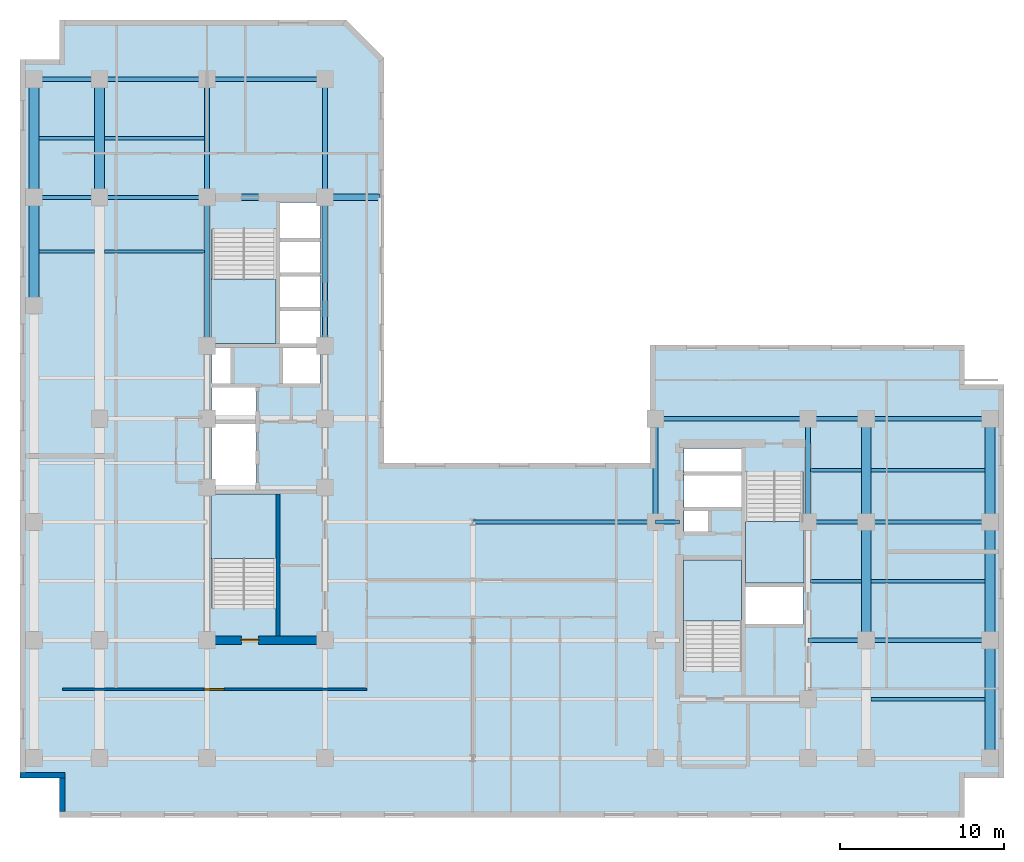
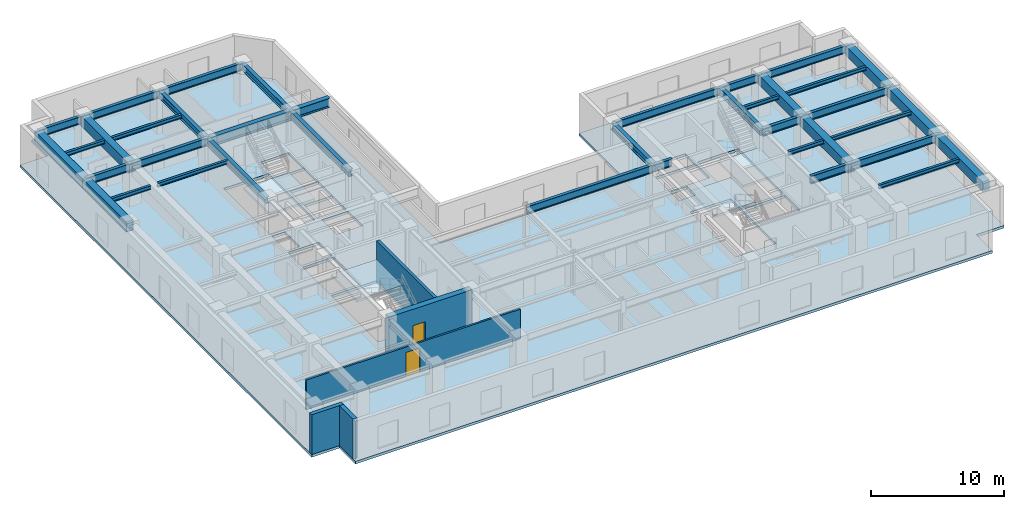
# One storey, part 2 of 9: 38 beams, 5 slabs, 5 walls, 2 doors, 2 openings, 4 elements without a shape of their own.
"""IFC4 building model written with IfcOpenShell, lengths in metres."""

from ifc_helpers import new_model, entity, si_unit, converted_unit, direction, frame, origin_with_axes, origin_2d_with_axis, place, context, subcontext, project, spatial, polyline, rectangle, i_section, outline, extrude, material, layer, layer_set, material_profile, profile_set, type_object, element, fill, aggregate, save


model = new_model("IFC4")

# Units and contexts
model_context = context("Model", 3, precision=1e-05, world=origin_with_axes(), true_north=direction((0.0, 1.0)))
body_context = subcontext(model_context, "Body", "Model", "MODEL_VIEW")
ifc_project = project(units=[si_unit("LENGTHUNIT", "METRE"), si_unit("AREAUNIT", "SQUARE_METRE"), si_unit("VOLUMEUNIT", "CUBIC_METRE"), converted_unit("PLANEANGLEUNIT", "DEGREE", entity("IfcPlaneAngleMeasure", 0.017453292519943295), si_unit("PLANEANGLEUNIT", "RADIAN"), dimensions=[0, 0, 0, 0, 0, 0, 0]), si_unit("MASSUNIT", "GRAM", prefix="KILO"), si_unit("THERMODYNAMICTEMPERATUREUNIT", "KELVIN")], contexts=[model_context])

# Site, building, storey
site_placement = place(None, origin_with_axes())
site = spatial("IfcSite", under=ifc_project, at=site_placement, CompositionType="ELEMENT")
building_placement = place(site_placement, origin_with_axes())
building = spatial("IfcBuilding", under=site, at=building_placement, Name="Varnlund Millrace Tower", CompositionType="ELEMENT")
storey_placement = place(building_placement, frame((0.0, 0.0, 144.6), z_axis=(0.0, 0.0, 1.0), x_axis=(1.0, 0.0, 0.0)))
storey = spatial("IfcBuildingStorey", under=building, at=storey_placement, Name="L35", CompositionType="ELEMENT", Elevation=144.6)

# Beams
ifc_material_1 = material(Name="Steel ASTM A992 Grade 50", Category="steel")
ifc_material_profile_1 = material_profile(ifc_material_1, i_section(OverallWidth=0.328, OverallDepth=0.628, WebThickness=0.0165, FlangeThickness=0.0277, FilletRadius=0.018, at=origin_2d_with_axis()), Name="Steel ASTM A992 Grade 50")
ifc_profile_set_1 = profile_set([ifc_material_profile_1], Name="Steel ASTM A992 Grade 50")
beam_type_1 = type_object("IfcBeamType", Name="Type-Girder-W24X146", PredefinedType="USERDEFINED", material=ifc_profile_set_1)
beam_1_placement = place(storey_placement, frame((11.4, 28.75, 3.346), z_axis=(0.0, 1.0, 0.0), x_axis=(-1.0, 0.0, 0.0)))
element("IfcBeam", 1, at=beam_1_placement, inside=storey, type_object=beam_type_1, Name="Type-Girder-W24X146", ObjectType="GIRDER", PredefinedType="USERDEFINED", context=body_context, shape_type="SweptSolid", body=[
    extrude(i_section(OverallWidth=0.328, OverallDepth=0.628, WebThickness=0.0165, FlangeThickness=0.0277, FilletRadius=0.018, at=origin_2d_with_axis()), origin_with_axes(), (0.0, 0.0, 1.0), 9.05),
])
beam_2_placement = place(storey_placement, frame((11.4, 37.8, 3.346), z_axis=(0.0, 1.0, 0.0), x_axis=(-1.0, 0.0, 0.0)))
element("IfcBeam", 2, at=beam_2_placement, inside=storey, type_object=beam_type_1, Name="Type-Girder-W24X146", ObjectType="GIRDER", PredefinedType="USERDEFINED", context=body_context, shape_type="SweptSolid", body=[
    extrude(i_section(OverallWidth=0.328, OverallDepth=0.628, WebThickness=0.0165, FlangeThickness=0.0277, FilletRadius=0.018, at=origin_2d_with_axis()), origin_with_axes(), (0.0, 0.0, 1.0), 7.2),
])
beam_3_placement = place(storey_placement, frame((18.6, 28.75, 3.346), z_axis=(0.0, 1.0, 0.0), x_axis=(-1.0, 0.0, 0.0)))
element("IfcBeam", 3, at=beam_3_placement, inside=storey, type_object=beam_type_1, Name="Type-Girder-W24X146", ObjectType="GIRDER", PredefinedType="USERDEFINED", context=body_context, shape_type="SweptSolid", body=[
    extrude(i_section(OverallWidth=0.328, OverallDepth=0.628, WebThickness=0.0165, FlangeThickness=0.0277, FilletRadius=0.018, at=origin_2d_with_axis()), origin_with_axes(), (0.0, 0.0, 1.0), 9.05),
])
beam_4_placement = place(storey_placement, frame((18.6, 37.8, 3.346), z_axis=(0.0, 1.0, 0.0), x_axis=(-1.0, 0.0, 0.0)))
element("IfcBeam", 4, at=beam_4_placement, inside=storey, type_object=beam_type_1, Name="Type-Girder-W24X146", ObjectType="GIRDER", PredefinedType="USERDEFINED", context=body_context, shape_type="SweptSolid", body=[
    extrude(i_section(OverallWidth=0.328, OverallDepth=0.628, WebThickness=0.0165, FlangeThickness=0.0277, FilletRadius=0.018, at=origin_2d_with_axis()), origin_with_axes(), (0.0, 0.0, 1.0), 7.2),
])
for number, where, z_axis, x_axis, name in (
    (5, (38.75, 18.0, 3.346), (0.0, 1.0, 0.0), (-1.0, 0.0, 0.0), "Type-Girder-W24X146"),
    (6, (48.05, 18.0, 3.346), (0.0, 1.0, 0.0), (-1.0, 0.0, 0.0), "Type-Girder-W24X146"),
):
    element("IfcBeam", number, at=place(storey_placement, frame(where, z_axis=z_axis, x_axis=x_axis)), inside=storey, type_object=beam_type_1, Name=name, ObjectType="GIRDER", PredefinedType="USERDEFINED", context=body_context, shape_type="SweptSolid", body=[
        extrude(i_section(OverallWidth=0.328, OverallDepth=0.628, WebThickness=0.0165, FlangeThickness=0.0277, FilletRadius=0.018, at=origin_2d_with_axis()), origin_with_axes(), (0.0, 0.0, 1.0), 6.3),
    ])
ifc_material_profile_2 = material_profile(ifc_material_1, i_section(OverallWidth=0.256, OverallDepth=0.693, WebThickness=0.0145, FlangeThickness=0.0236, FilletRadius=0.018, at=origin_2d_with_axis()), Name="Steel ASTM A992 Grade 50")
ifc_profile_set_2 = profile_set([ifc_material_profile_2], Name="Steel ASTM A992 Grade 50")
beam_type_2 = type_object("IfcBeamType", Name="Type-Girder-W27X114", PredefinedType="USERDEFINED", material=ifc_profile_set_2)
beam_5_placement = place(storey_placement, frame((48.05, 10.8, 3.3135), z_axis=(1.0, 0.0, 0.0), x_axis=(0.0, 1.0, 0.0)))
element("IfcBeam", 7, at=beam_5_placement, inside=storey, type_object=beam_type_2, Name="Type-Girder-W27X114", ObjectType="GIRDER", PredefinedType="USERDEFINED", context=body_context, shape_type="SweptSolid", body=[
    extrude(i_section(OverallWidth=0.256, OverallDepth=0.693, WebThickness=0.0145, FlangeThickness=0.0236, FilletRadius=0.018, at=origin_2d_with_axis()), origin_with_axes(), (0.0, 0.0, 1.0), 3.55),
])
beam_6_placement = place(storey_placement, frame((51.6, 10.8, 3.3135), z_axis=(1.0, 0.0, 0.0), x_axis=(0.0, 1.0, 0.0)))
element("IfcBeam", 8, at=beam_6_placement, inside=storey, type_object=beam_type_2, Name="Type-Girder-W27X114", ObjectType="GIRDER", PredefinedType="USERDEFINED", context=body_context, shape_type="SweptSolid", body=[
    extrude(i_section(OverallWidth=0.256, OverallDepth=0.693, WebThickness=0.0145, FlangeThickness=0.0236, FilletRadius=0.018, at=origin_2d_with_axis()), origin_with_axes(), (0.0, 0.0, 1.0), 7.55),
])
beam_7_placement = place(storey_placement, frame((27.6, 18.0, 3.3135), z_axis=(1.0, 0.0, 0.0), x_axis=(0.0, 1.0, 0.0)))
element("IfcBeam", 9, at=beam_7_placement, inside=storey, type_object=beam_type_2, Name="Type-Girder-W27X114", ObjectType="GIRDER", PredefinedType="USERDEFINED", context=body_context, shape_type="SweptSolid", body=[
    extrude(i_section(OverallWidth=0.256, OverallDepth=0.693, WebThickness=0.0145, FlangeThickness=0.0236, FilletRadius=0.018, at=origin_2d_with_axis()), origin_with_axes(), (0.0, 0.0, 1.0), 11.15),
])
beam_8_placement = place(storey_placement, frame((38.75, 18.0, 3.3135), z_axis=(1.0, 0.0, 0.0), x_axis=(0.0, 1.0, 0.0)))
element("IfcBeam", 10, at=beam_8_placement, inside=storey, type_object=beam_type_2, Name="Type-Girder-W27X114", ObjectType="GIRDER", PredefinedType="USERDEFINED", context=body_context, shape_type="SweptSolid", body=[
    extrude(i_section(OverallWidth=0.256, OverallDepth=0.693, WebThickness=0.0145, FlangeThickness=0.0236, FilletRadius=0.018, at=origin_2d_with_axis()), origin_with_axes(), (0.0, 0.0, 1.0), 1.45),
])
beam_9_placement = place(storey_placement, frame((48.05, 18.0, 3.3135), z_axis=(1.0, 0.0, 0.0), x_axis=(0.0, 1.0, 0.0)))
element("IfcBeam", 11, at=beam_9_placement, inside=storey, type_object=beam_type_2, Name="Type-Girder-W27X114", ObjectType="GIRDER", PredefinedType="USERDEFINED", context=body_context, shape_type="SweptSolid", body=[
    extrude(i_section(OverallWidth=0.256, OverallDepth=0.693, WebThickness=0.0145, FlangeThickness=0.0236, FilletRadius=0.018, at=origin_2d_with_axis()), origin_with_axes(), (0.0, 0.0, 1.0), 3.55),
])
beam_10_placement = place(storey_placement, frame((51.6, 18.0, 3.3135), z_axis=(1.0, 0.0, 0.0), x_axis=(0.0, 1.0, 0.0)))
element("IfcBeam", 12, at=beam_10_placement, inside=storey, type_object=beam_type_2, Name="Type-Girder-W27X114", ObjectType="GIRDER", PredefinedType="USERDEFINED", context=body_context, shape_type="SweptSolid", body=[
    extrude(i_section(OverallWidth=0.256, OverallDepth=0.693, WebThickness=0.0145, FlangeThickness=0.0236, FilletRadius=0.018, at=origin_2d_with_axis()), origin_with_axes(), (0.0, 0.0, 1.0), 7.55),
])
beam_11_placement = place(storey_placement, frame((38.75, 24.3, 3.3135), z_axis=(1.0, 0.0, 0.0), x_axis=(0.0, 1.0, 0.0)))
element("IfcBeam", 13, at=beam_11_placement, inside=storey, type_object=beam_type_2, Name="Type-Girder-W27X114", ObjectType="GIRDER", PredefinedType="USERDEFINED", context=body_context, shape_type="SweptSolid", body=[
    extrude(i_section(OverallWidth=0.256, OverallDepth=0.693, WebThickness=0.0145, FlangeThickness=0.0236, FilletRadius=0.018, at=origin_2d_with_axis()), origin_with_axes(), (0.0, 0.0, 1.0), 9.3),
])
beam_12_placement = place(storey_placement, frame((48.05, 24.3, 3.3135), z_axis=(1.0, 0.0, 0.0), x_axis=(0.0, 1.0, 0.0)))
element("IfcBeam", 14, at=beam_12_placement, inside=storey, type_object=beam_type_2, Name="Type-Girder-W27X114", ObjectType="GIRDER", PredefinedType="USERDEFINED", context=body_context, shape_type="SweptSolid", body=[
    extrude(i_section(OverallWidth=0.256, OverallDepth=0.693, WebThickness=0.0145, FlangeThickness=0.0236, FilletRadius=0.018, at=origin_2d_with_axis()), origin_with_axes(), (0.0, 0.0, 1.0), 3.55),
])
beam_13_placement = place(storey_placement, frame((51.6, 24.3, 3.3135), z_axis=(1.0, 0.0, 0.0), x_axis=(0.0, 1.0, 0.0)))
element("IfcBeam", 15, at=beam_13_placement, inside=storey, type_object=beam_type_2, Name="Type-Girder-W27X114", ObjectType="GIRDER", PredefinedType="USERDEFINED", context=body_context, shape_type="SweptSolid", body=[
    extrude(i_section(OverallWidth=0.256, OverallDepth=0.693, WebThickness=0.0145, FlangeThickness=0.0236, FilletRadius=0.018, at=origin_2d_with_axis()), origin_with_axes(), (0.0, 0.0, 1.0), 7.55),
])
beam_14_placement = place(storey_placement, frame((0.85, 37.8, 3.3135), z_axis=(1.0, 0.0, 0.0), x_axis=(0.0, 1.0, 0.0)))
element("IfcBeam", 16, at=beam_14_placement, inside=storey, type_object=beam_type_2, Name="Type-Girder-W27X114", ObjectType="GIRDER", PredefinedType="USERDEFINED", context=body_context, shape_type="SweptSolid", body=[
    extrude(i_section(OverallWidth=0.256, OverallDepth=0.693, WebThickness=0.0145, FlangeThickness=0.0236, FilletRadius=0.018, at=origin_2d_with_axis()), origin_with_axes(), (0.0, 0.0, 1.0), 4.0),
])
beam_15_placement = place(storey_placement, frame((4.85, 37.8, 3.3135), z_axis=(1.0, 0.0, 0.0), x_axis=(0.0, 1.0, 0.0)))
element("IfcBeam", 17, at=beam_15_placement, inside=storey, type_object=beam_type_2, Name="Type-Girder-W27X114", ObjectType="GIRDER", PredefinedType="USERDEFINED", context=body_context, shape_type="SweptSolid", body=[
    extrude(i_section(OverallWidth=0.256, OverallDepth=0.693, WebThickness=0.0145, FlangeThickness=0.0236, FilletRadius=0.018, at=origin_2d_with_axis()), origin_with_axes(), (0.0, 0.0, 1.0), 6.55),
])
beam_16_placement = place(storey_placement, frame((0.85, 45.0, 3.3135), z_axis=(1.0, 0.0, 0.0), x_axis=(0.0, 1.0, 0.0)))
element("IfcBeam", 18, at=beam_16_placement, inside=storey, type_object=beam_type_2, Name="Type-Girder-W27X114", ObjectType="GIRDER", PredefinedType="USERDEFINED", context=body_context, shape_type="SweptSolid", body=[
    extrude(i_section(OverallWidth=0.256, OverallDepth=0.693, WebThickness=0.0145, FlangeThickness=0.0236, FilletRadius=0.018, at=origin_2d_with_axis()), origin_with_axes(), (0.0, 0.0, 1.0), 4.0),
])
beam_17_placement = place(storey_placement, frame((4.85, 45.0, 3.3135), z_axis=(1.0, 0.0, 0.0), x_axis=(0.0, 1.0, 0.0)))
element("IfcBeam", 19, at=beam_17_placement, inside=storey, type_object=beam_type_2, Name="Type-Girder-W27X114", ObjectType="GIRDER", PredefinedType="USERDEFINED", context=body_context, shape_type="SweptSolid", body=[
    extrude(i_section(OverallWidth=0.256, OverallDepth=0.693, WebThickness=0.0145, FlangeThickness=0.0236, FilletRadius=0.018, at=origin_2d_with_axis()), origin_with_axes(), (0.0, 0.0, 1.0), 6.55),
])
beam_18_placement = place(storey_placement, frame((11.4, 45.0, 3.3135), z_axis=(1.0, 0.0, 0.0), x_axis=(0.0, 1.0, 0.0)))
element("IfcBeam", 20, at=beam_18_placement, inside=storey, type_object=beam_type_2, Name="Type-Girder-W27X114", ObjectType="GIRDER", PredefinedType="USERDEFINED", context=body_context, shape_type="SweptSolid", body=[
    extrude(i_section(OverallWidth=0.256, OverallDepth=0.693, WebThickness=0.0145, FlangeThickness=0.0236, FilletRadius=0.018, at=origin_2d_with_axis()), origin_with_axes(), (0.0, 0.0, 1.0), 7.2),
])
ifc_material_profile_3 = material_profile(ifc_material_1, i_section(OverallWidth=0.399, OverallDepth=0.855, WebThickness=0.0182, FlangeThickness=0.0292, FilletRadius=0.022, at=origin_2d_with_axis()), Name="Steel ASTM A992 Grade 50")
ifc_profile_set_3 = profile_set([ifc_material_profile_3], Name="Steel ASTM A992 Grade 50")
beam_type_3 = type_object("IfcBeamType", Name="Type-Girder-W33X201", PredefinedType="USERDEFINED", material=ifc_profile_set_3)
beam_19_placement = place(storey_placement, frame((11.4, 37.8, 3.2325), z_axis=(1.0, 0.0, 0.0), x_axis=(0.0, 1.0, 0.0)))
element("IfcBeam", 21, at=beam_19_placement, inside=storey, type_object=beam_type_3, Name="Type-Girder-W33X201", ObjectType="GIRDER", PredefinedType="USERDEFINED", context=body_context, shape_type="SweptSolid", body=[
    extrude(i_section(OverallWidth=0.399, OverallDepth=0.855, WebThickness=0.0182, FlangeThickness=0.0292, FilletRadius=0.022, at=origin_2d_with_axis()), origin_with_axes(), (0.0, 0.0, 1.0), 10.545),
])
ifc_material_profile_4 = material_profile(ifc_material_1, i_section(OverallWidth=0.204, OverallDepth=0.35, WebThickness=0.0086, FlangeThickness=0.0151, FilletRadius=0.013, at=origin_2d_with_axis()), Name="Steel ASTM A992 Grade 50")
ifc_profile_set_4 = profile_set([ifc_material_profile_4], Name="Steel ASTM A992 Grade 50")
beam_type_4 = type_object("IfcBeamType", Name="Type-Joist-W14X48", PredefinedType="JOIST", material=ifc_profile_set_4)
for number, where, z_axis, x_axis, name in (
    (22, (1.15, 34.5, 3.485), (1.0, 0.0, 0.0), (0.0, 1.0, 0.0), "Type-Joist-W14X48"),
    (23, (1.15, 41.4, 3.485), (1.0, 0.0, 0.0), (0.0, 1.0, 0.0), "Type-Joist-W14X48"),
):
    element("IfcBeam", number, at=place(storey_placement, frame(where, z_axis=z_axis, x_axis=x_axis)), inside=storey, type_object=beam_type_4, Name=name, PredefinedType="JOIST", context=body_context, shape_type="SweptSolid", body=[
        extrude(i_section(OverallWidth=0.204, OverallDepth=0.35, WebThickness=0.0086, FlangeThickness=0.0151, FilletRadius=0.013, at=origin_2d_with_axis()), origin_with_axes(), (0.0, 0.0, 1.0), 3.4),
    ])
for number, where, z_axis, x_axis, name in (
    (24, (5.15, 34.5, 3.485), (1.0, 0.0, 0.0), (0.0, 1.0, 0.0), "Type-Joist-W14X48"),
    (25, (5.15, 41.4, 3.485), (1.0, 0.0, 0.0), (0.0, 1.0, 0.0), "Type-Joist-W14X48"),
):
    element("IfcBeam", number, at=place(storey_placement, frame(where, z_axis=z_axis, x_axis=x_axis)), inside=storey, type_object=beam_type_4, Name=name, PredefinedType="JOIST", context=body_context, shape_type="SweptSolid", body=[
        extrude(i_section(OverallWidth=0.204, OverallDepth=0.35, WebThickness=0.0086, FlangeThickness=0.0151, FilletRadius=0.013, at=origin_2d_with_axis()), origin_with_axes(), (0.0, 0.0, 1.0), 6.086),
    ])
for number, where, z_axis, x_axis, name in (
    (26, (48.214, 14.4, 3.485), (1.0, 0.0, 0.0), (0.0, 1.0, 0.0), "Type-Joist-W14X48"),
    (27, (48.214, 21.15, 3.485), (1.0, 0.0, 0.0), (0.0, 1.0, 0.0), "Type-Joist-W14X48"),
):
    element("IfcBeam", number, at=place(storey_placement, frame(where, z_axis=z_axis, x_axis=x_axis)), inside=storey, type_object=beam_type_4, Name=name, PredefinedType="JOIST", context=body_context, shape_type="SweptSolid", body=[
        extrude(i_section(OverallWidth=0.204, OverallDepth=0.35, WebThickness=0.0086, FlangeThickness=0.0151, FilletRadius=0.013, at=origin_2d_with_axis()), origin_with_axes(), (0.0, 0.0, 1.0), 3.086),
    ])
for number, where, z_axis, x_axis, name in (
    (28, (51.9, 7.2, 3.485), (1.0, 0.0, 0.0), (0.0, 1.0, 0.0), "Type-Joist-W14X48"),
    (29, (51.9, 14.4, 3.485), (1.0, 0.0, 0.0), (0.0, 1.0, 0.0), "Type-Joist-W14X48"),
    (30, (51.9, 21.15, 3.485), (1.0, 0.0, 0.0), (0.0, 1.0, 0.0), "Type-Joist-W14X48"),
):
    element("IfcBeam", number, at=place(storey_placement, frame(where, z_axis=z_axis, x_axis=x_axis)), inside=storey, type_object=beam_type_4, Name=name, PredefinedType="JOIST", context=body_context, shape_type="SweptSolid", body=[
        extrude(i_section(OverallWidth=0.204, OverallDepth=0.35, WebThickness=0.0086, FlangeThickness=0.0151, FilletRadius=0.013, at=origin_2d_with_axis()), origin_with_axes(), (0.0, 0.0, 1.0), 6.95),
    ])
ifc_material_2 = material(Name="Concrete C70/85", Category="concrete")
ifc_material_profile_5 = material_profile(ifc_material_2, rectangle(XDim=0.6, YDim=0.9, at=origin_2d_with_axis()), Name="Concrete C70/85")
ifc_profile_set_5 = profile_set([ifc_material_profile_5], Name="Concrete C70/85")
beam_type_5 = type_object("IfcBeamType", Name="Type-Spandrel-RC600X900", PredefinedType="SPANDREL", material=ifc_profile_set_5)
beam_20_placement = place(storey_placement, frame((0.85, 31.2, 3.21), z_axis=(0.0, 1.0, 0.0), x_axis=(-1.0, 0.0, 0.0)))
element("IfcBeam", 31, at=beam_20_placement, inside=storey, type_object=beam_type_5, Name="Type-Spandrel-RC600X900", PredefinedType="SPANDREL", context=body_context, shape_type="SweptSolid", body=[
    extrude(rectangle(XDim=0.6, YDim=0.9, at=origin_2d_with_axis()), origin_with_axes(), (0.0, 0.0, 1.0), 6.6),
])
for number, where, z_axis, x_axis, name in (
    (32, (0.85, 37.8, 3.21), (0.0, 1.0, 0.0), (-1.0, 0.0, 0.0), "Type-Spandrel-RC600X900"),
    (33, (4.85, 37.8, 3.21), (0.0, 1.0, 0.0), (-1.0, 0.0, 0.0), "Type-Spandrel-RC600X900"),
    (34, (51.6, 10.8, 3.21), (0.0, 1.0, 0.0), (-1.0, 0.0, 0.0), "Type-Spandrel-RC600X900"),
):
    element("IfcBeam", number, at=place(storey_placement, frame(where, z_axis=z_axis, x_axis=x_axis)), inside=storey, type_object=beam_type_5, Name=name, PredefinedType="SPANDREL", context=body_context, shape_type="SweptSolid", body=[
        extrude(rectangle(XDim=0.6, YDim=0.9, at=origin_2d_with_axis()), origin_with_axes(), (0.0, 0.0, 1.0), 7.2),
    ])
beam_21_placement = place(storey_placement, frame((51.6, 18.0, 3.21), z_axis=(0.0, 1.0, 0.0), x_axis=(-1.0, 0.0, 0.0)))
element("IfcBeam", 35, at=beam_21_placement, inside=storey, type_object=beam_type_5, Name="Type-Spandrel-RC600X900", PredefinedType="SPANDREL", context=body_context, shape_type="SweptSolid", body=[
    extrude(rectangle(XDim=0.6, YDim=0.9, at=origin_2d_with_axis()), origin_with_axes(), (0.0, 0.0, 1.0), 6.3),
])
for number, where, z_axis, x_axis, name in (
    (36, (59.15, 3.6, 3.21), (0.0, 1.0, 0.0), (-1.0, 0.0, 0.0), "Type-Spandrel-RC600X900"),
    (37, (59.15, 10.8, 3.21), (0.0, 1.0, 0.0), (-1.0, 0.0, 0.0), "Type-Spandrel-RC600X900"),
):
    element("IfcBeam", number, at=place(storey_placement, frame(where, z_axis=z_axis, x_axis=x_axis)), inside=storey, type_object=beam_type_5, Name=name, PredefinedType="SPANDREL", context=body_context, shape_type="SweptSolid", body=[
        extrude(rectangle(XDim=0.6, YDim=0.9, at=origin_2d_with_axis()), origin_with_axes(), (0.0, 0.0, 1.0), 7.2),
    ])
beam_22_placement = place(storey_placement, frame((59.15, 18.0, 3.21), z_axis=(0.0, 1.0, 0.0), x_axis=(-1.0, 0.0, 0.0)))
element("IfcBeam", 38, at=beam_22_placement, inside=storey, type_object=beam_type_5, Name="Type-Spandrel-RC600X900", PredefinedType="SPANDREL", context=body_context, shape_type="SweptSolid", body=[
    extrude(rectangle(XDim=0.6, YDim=0.9, at=origin_2d_with_axis()), origin_with_axes(), (0.0, 0.0, 1.0), 6.3),
])

# Slab
ifc_material_3 = material(Name="Concrete C60/75", Category="concrete")
ifc_layer_1 = layer(ifc_material_3, 0.24, Name="Concrete C60/75")
ifc_layer_set_1 = layer_set([ifc_layer_1], Name="Concrete C60/75")
slab_type_1 = type_object("IfcSlabType", Name="Type-Deck-Plate-Typical-240", PredefinedType="FLOOR", material=ifc_layer_set_1)
slab_1_placement = place(storey_placement, frame((0.0, 0.0, -0.24), z_axis=(0.0, 0.0, 1.0), x_axis=(1.0, 0.0, 0.0)))
element("IfcSlab", 39, at=slab_1_placement, inside=storey, type_object=slab_type_1, Name="Type-Deck-Plate-Typical-240", PredefinedType="FLOOR", context=body_context, shape_type="SweptSolid", body=[
    extrude(outline(polyline([(22.195, 21.6), (22.195, 46.32), (19.915, 48.6), (2.4, 48.6), (2.4, 46.2), (0.0, 46.2), (0.0, 2.4), (2.4, 2.4), (2.4, 0.0), (57.6, 0.0), (57.6, 2.4), (60.0, 2.4), (60.0, 26.4), (57.6, 26.4), (57.6, 28.8), (38.4, 28.8), (38.4, 21.6), (22.195, 21.6)]), holes=[polyline([(15.6, 12.715), (11.7, 12.715), (11.7, 19.7), (15.6, 19.7), (15.6, 12.715)]), polyline([(14.38, 23.98), (14.38, 19.94), (11.7, 19.94), (11.7, 23.98), (14.38, 23.98)]), polyline([(14.38, 24.24), (11.7, 24.24), (11.7, 26.2), (14.38, 26.2), (14.38, 24.24)]), polyline([(12.84, 26.46), (11.7, 26.46), (11.7, 28.65), (12.84, 28.65), (12.84, 26.46)]), polyline([(18.3, 28.9), (15.84, 28.9), (15.84, 30.98), (18.3, 30.98), (18.3, 28.9)]), polyline([(18.3, 31.02), (15.84, 31.02), (15.84, 33.08), (18.3, 33.08), (18.3, 31.02)]), polyline([(15.6, 28.9), (11.7, 28.9), (11.7, 35.885), (15.6, 35.885), (15.6, 28.9)]), polyline([(18.3, 33.12), (15.84, 33.12), (15.84, 35.18), (18.3, 35.18), (18.3, 33.12)]), polyline([(44.0, 8.915), (40.5, 8.915), (40.5, 15.7), (44.0, 15.7), (44.0, 8.915)]), polyline([(47.75, 11.74), (44.25, 11.74), (44.25, 14.06), (47.75, 14.06), (47.75, 11.74)]), polyline([(47.75, 14.3), (44.25, 14.3), (44.25, 21.085), (47.75, 21.085), (47.75, 14.3)]), polyline([(41.95, 17.42), (40.5, 17.42), (40.5, 18.72), (41.95, 18.72), (41.95, 17.42)]), polyline([(44.0, 18.88), (40.5, 18.88), (40.5, 20.94), (44.0, 20.94), (44.0, 18.88)]), polyline([(44.0, 21.0), (40.5, 21.0), (40.5, 22.5), (44.0, 22.5), (44.0, 21.0)]), polyline([(16.04, 26.46), (16.04, 28.65), (18.3, 28.65), (18.3, 26.46), (16.04, 26.46)]), polyline([(15.84, 35.22), (15.84, 37.5), (18.3, 37.5), (18.3, 35.22), (15.84, 35.22)])]), origin_with_axes(), (0.0, 0.0, 1.0), 0.24),
])

# Stair, slab
ifc_material_4 = material(Name="Concrete C50/60", Category="concrete")
stair_type_1 = type_object("IfcStairType", Name="Type-Stair-Dogleg-185-390", PredefinedType="HALF_TURN_STAIR", material=ifc_material_4)
stair_1_placement = place(storey_placement, origin_with_axes())
stair_1 = element("IfcStair", 40, at=stair_1_placement, inside=storey, type_object=stair_type_1, Name="Type-Stair-Dogleg-185-390", PredefinedType="HALF_TURN_STAIR")
ifc_layer_2 = layer(ifc_material_4, 0.2, Name="Concrete C50/60")
ifc_layer_set_2 = layer_set([ifc_layer_2], Name="Concrete C50/60")
slab_type_2 = type_object("IfcSlabType", Name="Type-StairLanding-200", PredefinedType="LANDING", material=ifc_layer_set_2)
slab_2_placement = place(storey_placement, frame((0.0, 0.0, 1.75), z_axis=(0.0, 0.0, 1.0), x_axis=(1.0, 0.0, 0.0)))
slab_2 = element("IfcSlab", 41, at=slab_2_placement, type_object=slab_type_2, Name="ST-A1 landing 1", PredefinedType="LANDING", context=body_context, shape_type="SweptSolid", body=[
    extrude(outline(polyline([(15.6, 15.78), (15.6, 19.7), (11.65, 19.7), (11.65, 15.78), (15.6, 15.78)])), origin_with_axes(), (0.0, 0.0, 1.0), 0.2),
])
aggregate(stair_1, [slab_2])

stair_2_placement = place(storey_placement, origin_with_axes())
stair_2 = element("IfcStair", 42, at=stair_2_placement, inside=storey, type_object=stair_type_1, Name="Type-Stair-Dogleg-185-390", PredefinedType="HALF_TURN_STAIR")
slab_3_placement = place(storey_placement, frame((0.0, 0.0, 1.75), z_axis=(0.0, 0.0, 1.0), x_axis=(1.0, 0.0, 0.0)))
slab_3 = element("IfcSlab", 43, at=slab_3_placement, type_object=slab_type_2, Name="ST-A2 landing 1", PredefinedType="LANDING", context=body_context, shape_type="SweptSolid", body=[
    extrude(outline(polyline([(11.65, 32.82), (11.65, 28.9), (15.6, 28.9), (15.6, 32.82), (11.65, 32.82)])), origin_with_axes(), (0.0, 0.0, 1.0), 0.2),
])
aggregate(stair_2, [slab_3])

stair_type_2 = type_object("IfcStairType", Name="Type-Stair-Dogleg-165-390", PredefinedType="HALF_TURN_STAIR", material=ifc_material_4)
stair_3_placement = place(storey_placement, origin_with_axes())
stair_3 = element("IfcStair", 44, at=stair_3_placement, inside=storey, type_object=stair_type_2, Name="Type-Stair-Dogleg-165-390", PredefinedType="HALF_TURN_STAIR")
slab_4_placement = place(storey_placement, frame((0.0, 0.0, 1.75), z_axis=(0.0, 0.0, 1.0), x_axis=(1.0, 0.0, 0.0)))
slab_4 = element("IfcSlab", 45, at=slab_4_placement, type_object=slab_type_2, Name="ST-B1 landing 1", PredefinedType="LANDING", context=body_context, shape_type="SweptSolid", body=[
    extrude(outline(polyline([(44.0, 11.98), (44.0, 15.7), (40.45, 15.7), (40.45, 11.98), (44.0, 11.98)])), origin_with_axes(), (0.0, 0.0, 1.0), 0.2),
])
aggregate(stair_3, [slab_4])

stair_4_placement = place(storey_placement, origin_with_axes())
stair_4 = element("IfcStair", 46, at=stair_4_placement, inside=storey, type_object=stair_type_2, Name="Type-Stair-Dogleg-165-390", PredefinedType="HALF_TURN_STAIR")
slab_5_placement = place(storey_placement, frame((0.0, 0.0, 1.75), z_axis=(0.0, 0.0, 1.0), x_axis=(1.0, 0.0, 0.0)))
slab_5 = element("IfcSlab", 47, at=slab_5_placement, type_object=slab_type_2, Name="ST-B2 landing 1", PredefinedType="LANDING", context=body_context, shape_type="SweptSolid", body=[
    extrude(outline(polyline([(44.25, 18.02), (44.25, 14.3), (47.8, 14.3), (47.8, 18.02), (44.25, 18.02)])), origin_with_axes(), (0.0, 0.0, 1.0), 0.2),
])
aggregate(stair_4, [slab_5])

# Wall, opening, door
ifc_layer_3 = layer(ifc_material_2, 0.5, Name="Concrete C70/85")
ifc_layer_set_3 = layer_set([ifc_layer_3], Name="Concrete C70/85")
wall_type_1 = type_object("IfcWallType", Name="Type-CoreWall-Shear-500-C70", PredefinedType="SHEAR", material=ifc_layer_set_3)
wall_1_placement = place(storey_placement, frame((11.4, 10.8, 0.0), z_axis=(0.0, 0.0, 1.0), x_axis=(1.0, 0.0, 0.0)))
wall_1 = element("IfcWall", 48, at=wall_1_placement, inside=storey, type_object=wall_type_1, Name="Type-CoreWall-Shear-500-C70", PredefinedType="SHEAR", context=body_context, shape_type="SweptSolid", body=[
    extrude(outline(polyline([(0.0, -0.25), (7.2, -0.25), (7.2, 0.25), (0.0, 0.25), (0.0, -0.25)])), origin_with_axes(), (0.0, 0.0, 1.0), 3.66),
])
opening_1_placement = place(wall_1_placement, frame((2.625, 0.0, 0.0), z_axis=(0.0, 0.0, 1.0), x_axis=(1.0, 0.0, 0.0)))
opening_1 = element("IfcOpeningElement", 49, at=opening_1_placement, cuts=wall_1, Name="Opening L35:DR-STA1", PredefinedType="OPENING", context=body_context, shape_type="SweptSolid", body=[
    extrude(rectangle(XDim=1.05, YDim=0.52, at=origin_2d_with_axis()), origin_with_axes(), (0.0, 0.0, 1.0), 2.15),
])
ifc_material_5 = material(Name="Fire-rated hollow steel door", Category="steel")
door_type_1 = type_object("IfcDoorType", Name="Type-FireDoor-Stair-1050X2150", OperationType="NOTDEFINED", PredefinedType="DOOR", material=ifc_material_5)
door_1_placement = place(wall_1_placement, frame((2.625, 0.0, 0.0), z_axis=(0.0, 0.0, 1.0), x_axis=(1.0, 0.0, 0.0)))
door_1 = element("IfcDoor", 50, at=door_1_placement, inside=storey, type_object=door_type_1, Name="Type-FireDoor-Stair-1050X2150", OperationType="SINGLE_SWING_LEFT", OverallHeight=2.15, OverallWidth=1.05, PredefinedType="DOOR", context=body_context, shape_type="SweptSolid", body=[
    extrude(rectangle(XDim=1.05, YDim=0.09, at=origin_2d_with_axis()), origin_with_axes(), (0.0, 0.0, 1.0), 2.15),
])
fill(opening_1, door_1)

# Walls
ifc_material_6 = material(Name="Precast concrete C50/60", Category="concrete")
ifc_layer_4 = layer(ifc_material_6, 0.34, Name="Precast concrete C50/60")
ifc_layer_set_4 = layer_set([ifc_layer_4], Name="Precast concrete C50/60")
wall_type_2 = type_object("IfcWallType", Name="Type-ExtWall-Precast-Upper-340", PredefinedType="SOLIDWALL", material=ifc_layer_set_4)
wall_2_placement = place(storey_placement, frame((2.57, 0.34, 0.0), z_axis=(0.0, 0.0, 1.0), x_axis=(0.0, 1.0, 0.0)))
element("IfcWall", 51, at=wall_2_placement, inside=storey, type_object=wall_type_2, Name="Type-ExtWall-Precast-Upper-340", PredefinedType="SOLIDWALL", context=body_context, shape_type="SweptSolid", body=[
    extrude(outline(polyline([(0.0, -0.17), (2.06, -0.17), (2.06, 0.17), (0.0, 0.17), (0.0, -0.17)])), origin_with_axes(), (0.0, 0.0, 1.0), 3.66),
])
wall_3_placement = place(storey_placement, frame((2.74, 2.57, 0.0), z_axis=(0.0, 0.0, 1.0), x_axis=(-1.0, 0.0, 0.0)))
element("IfcWall", 52, at=wall_3_placement, inside=storey, type_object=wall_type_2, Name="Type-ExtWall-Precast-Upper-340", PredefinedType="SOLIDWALL", context=body_context, shape_type="SweptSolid", body=[
    extrude(outline(polyline([(0.0, -0.17), (2.74, -0.17), (2.74, 0.17), (0.0, 0.17), (0.0, -0.17)])), origin_with_axes(), (0.0, 0.0, 1.0), 3.66),
])

# Wall, opening, door
ifc_material_7 = material(Name="Fire-rated gypsum board on cold-formed steel framing", Category="steel")
ifc_layer_5 = layer(ifc_material_7, 0.16, Name="Fire-rated gypsum board on cold-formed steel framing")
ifc_layer_set_5 = layer_set([ifc_layer_5], Name="Fire-rated gypsum board on cold-formed steel framing")
wall_type_3 = type_object("IfcWallType", Name="Type-Partition-Corridor-160", PredefinedType="PARTITIONING", material=ifc_layer_set_5)
wall_4_placement = place(storey_placement, frame((2.6, 7.8, 0.0), z_axis=(0.0, 0.0, 1.0), x_axis=(1.0, 0.0, 0.0)))
wall_4 = element("IfcWall", 53, at=wall_4_placement, inside=storey, type_object=wall_type_3, Name="Type-Partition-Corridor-160", PredefinedType="PARTITIONING", context=body_context, shape_type="SweptSolid", body=[
    extrude(outline(polyline([(0.0, -0.08), (18.55, -0.08), (18.55, 0.08), (0.0, 0.08), (0.0, -0.08)])), origin_with_axes(), (0.0, 0.0, 1.0), 2.7),
])
opening_2_placement = place(wall_4_placement, frame((9.245, 0.0, 0.0), z_axis=(0.0, 0.0, 1.0), x_axis=(1.0, 0.0, 0.0)))
opening_2 = element("IfcOpeningElement", 54, at=opening_2_placement, cuts=wall_4, Name="Opening L35:DR-WAS-01", PredefinedType="OPENING", context=body_context, shape_type="SweptSolid", body=[
    extrude(rectangle(XDim=1.2, YDim=0.18, at=origin_2d_with_axis()), origin_with_axes(), (0.0, 0.0, 1.0), 2.2),
])
ifc_material_8 = material(Name="Wide executive white oak acoustic door")
door_type_2 = type_object("IfcDoorType", Name="Type-IntDoor-Exec-1200X2200", OperationType="NOTDEFINED", PredefinedType="DOOR", material=ifc_material_8)
door_2_placement = place(wall_4_placement, frame((9.245, 0.0, 0.0), z_axis=(0.0, 0.0, 1.0), x_axis=(1.0, 0.0, 0.0)))
door_2 = element("IfcDoor", 55, at=door_2_placement, inside=storey, type_object=door_type_2, Name="Type-IntDoor-Exec-1200X2200", OperationType="SINGLE_SWING_LEFT", OverallHeight=2.2, OverallWidth=1.2, PredefinedType="DOOR", context=body_context, shape_type="SweptSolid", body=[
    extrude(rectangle(XDim=1.2, YDim=0.09, at=origin_2d_with_axis()), origin_with_axes(), (0.0, 0.0, 1.0), 2.2),
])
fill(opening_2, door_2)

# Wall
ifc_layer_6 = layer(ifc_material_3, 0.25, Name="Concrete C60/75")
ifc_layer_set_6 = layer_set([ifc_layer_6], Name="Concrete C60/75")
wall_type_4 = type_object("IfcWallType", Name="Type-StairWall-Shear-250", PredefinedType="SHEAR", material=ifc_layer_set_6)
wall_5_placement = place(storey_placement, frame((15.725, 11.05, 0.0), z_axis=(0.0, 0.0, 1.0), x_axis=(0.0, 1.0, 0.0)))
element("IfcWall", 56, at=wall_5_placement, inside=storey, type_object=wall_type_4, Name="Type-StairWall-Shear-250", PredefinedType="SHEAR", context=body_context, shape_type="SweptSolid", body=[
    extrude(outline(polyline([(0.0, -0.125), (8.65, -0.125), (8.65, 0.125), (0.0, 0.125), (0.0, -0.125)])), origin_with_axes(), (0.0, 0.0, 1.0), 3.66),
])

save(model, "model.ifc")
